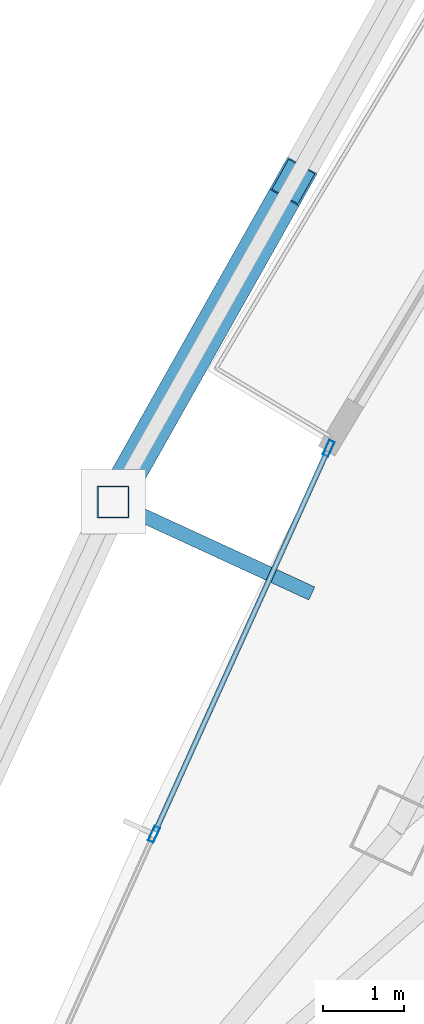
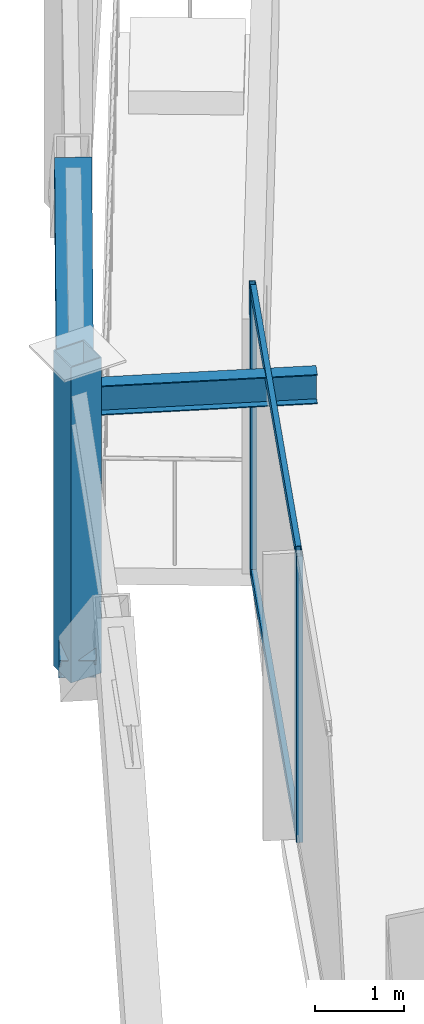
# One storey, part 8 of 27: 6 members, 1 beam, 1 element without a shape of its own.
"""IFC4 building model written with IfcOpenShell, lengths in metres."""

from ifc_helpers import new_model, si_unit, direction, frame, origin, origin_2d, place, context, subcontext, project, spatial, hollow_rectangle, i_section, extrude, material, layer, layer_set, material_profile, profile_set, type_object, element, aggregate, save


model = new_model("IFC4")

# Units and contexts
model_context = context("Model", 3, precision=1e-05, world=origin(), true_north=direction((0.0, 1.0)))
body_context = subcontext(model_context, "Body", "Model", "MODEL_VIEW")
ifc_project = project(units=[si_unit("LENGTHUNIT", "METRE"), si_unit("AREAUNIT", "SQUARE_METRE"), si_unit("VOLUMEUNIT", "CUBIC_METRE"), si_unit("PLANEANGLEUNIT", "RADIAN"), si_unit("MASSUNIT", "GRAM", prefix="KILO")], contexts=[model_context])

# Site, building, storey
site_placement = place(None, origin())
site = spatial("IfcSite", under=ifc_project, at=site_placement, CompositionType="ELEMENT")
building_placement = place(site_placement, origin())
building = spatial("IfcBuilding", under=site, at=building_placement, Name="Orvanel Arch Residences", CompositionType="ELEMENT")
storey_placement = place(building_placement, frame((0.0, 0.0, 186.949951171875)))
storey = spatial("IfcBuildingStorey", under=building, at=storey_placement, Name="L53", CompositionType="ELEMENT", Elevation=186.949951171875)

# Member
ifc_material_1 = material(Name="Structural steel AS/NZS 3678 Grade 350", Category="steel")
ifc_material_profile_1 = material_profile(ifc_material_1, hollow_rectangle(XDim=0.419921875, YDim=0.719970703125, WallThickness=0.02490234375, at=origin_2d()), Name="RHS720x420x25")
ifc_profile_set_1 = profile_set([ifc_material_profile_1], Name="Structural steel AS/NZS 3678 Grade 350")
member_type_1 = type_object("IfcMemberType", Name="BR-720RHS-EXT", PredefinedType="BRACE", material=ifc_profile_set_1)
member_1_placement = place(storey_placement, frame((12.867919921875, 23.716064453125, 0.0), z_axis=(0.378833707397, 0.673413209972, 0.63482255062), x_axis=(-0.871554091731, 0.490299362826, 0.0)))
element("IfcMember", 1, at=member_1_placement, inside=storey, type_object=member_type_1, Name="L53 Exterior Sky-Garden V-Frame Chevron F1B2.2", PredefinedType="BRACE", context=body_context, shape_type="SweptSolid", body=[
    extrude(hollow_rectangle(XDim=0.419921875, YDim=0.719970703125, WallThickness=0.02490234375, at=origin_2d()), origin(), (0.0, 0.0, 1.0), 5.902587890625),
])

# Curtain wall, members
ifc_material_2 = material(Name="Bronze-anodised aluminium AA6063-T6", Category="aluminium")
ifc_layer = layer(ifc_material_2, 0.195068359375)
ifc_layer_set = layer_set([ifc_layer], Name="Bronze-anodised aluminium AA6063-T6")
curtain_wall_type = type_object("IfcCurtainWallType", Name="CW6-COM-SYS", PredefinedType="NOTDEFINED", material=ifc_layer_set)
curtain_wall_placement = place(storey_placement, origin())
curtain_wall = element("IfcCurtainWall", 2, at=curtain_wall_placement, inside=storey, type_object=curtain_wall_type, Name="L53 CW6-COM-SYS Unitised Curtain Wall", PredefinedType="NOTDEFINED")
ifc_material_profile_2 = material_profile(ifc_material_2, hollow_rectangle(XDim=0.074951171875, YDim=0.199951171875, WallThickness=0.0048828125, at=origin_2d()), Name="ALU200x75x5")
ifc_profile_set_2 = profile_set([ifc_material_profile_2], Name="Bronze-anodised aluminium AA6063-T6")
member_type_2 = type_object("IfcMemberType", Name="MUL-200x75", PredefinedType="MULLION", material=ifc_profile_set_2)
member_2_placement = place(storey_placement, frame((15.54150390625, 24.380859375, 0.0), z_axis=(0.0, 0.0, 1.0), x_axis=(0.911055535651, -0.412283653519, 0.0)))
member_2 = element("IfcMember", 3, at=member_2_placement, type_object=member_type_2, Name="CW-S6 mullion 1", PredefinedType="MULLION", context=body_context, shape_type="SweptSolid", body=[
    extrude(hollow_rectangle(XDim=0.074951171875, YDim=0.199951171875, WallThickness=0.0048828125, at=origin_2d()), origin(), (0.0, 0.0, 1.0), 3.949951171875),
])
member_3_placement = place(storey_placement, frame((13.375244140625, 19.593994140625, 0.0), z_axis=(0.0, 0.0, 1.0), x_axis=(0.911055535651, -0.412283653519, 0.0)))
member_3 = element("IfcMember", 4, at=member_3_placement, type_object=member_type_2, Name="CW-S6 mullion 2", PredefinedType="MULLION", context=body_context, shape_type="SweptSolid", body=[
    extrude(hollow_rectangle(XDim=0.074951171875, YDim=0.199951171875, WallThickness=0.0048828125, at=origin_2d()), origin(), (0.0, 0.0, 1.0), 3.949951171875),
])

# Beam
ifc_material_3 = material(Name="Structural steel AS/NZS 3679.1 Grade 300 (300 MPa)", Category="steel")
ifc_material_profile_3 = material_profile(ifc_material_3, i_section(OverallWidth=0.177978515625, OverallDepth=0.406005859375, WebThickness=0.0078125, FlangeThickness=0.0126953125, at=origin_2d()), Name="410UB59.7")
ifc_profile_set_3 = profile_set([ifc_material_profile_3], Name="Structural steel AS/NZS 3679.1 Grade 300 (300 MPa)")
beam_type = type_object("IfcBeamType", Name="OB-410UB-EXT", PredefinedType="SPANDREL", material=ifc_profile_set_3)
beam_placement = place(storey_placement, frame((15.3330078125, 22.5810546875, 3.7470703125), z_axis=(-0.908340795314, 0.418230797011, 0.0), x_axis=(-0.418230797011, -0.908340795314, 0.0)))
element("IfcBeam", 5, at=beam_placement, inside=storey, type_object=beam_type, Name="L53 Outer Frame Radial Tie Beam 03", PredefinedType="SPANDREL", context=body_context, shape_type="SweptSolid", body=[
    extrude(i_section(OverallWidth=0.177978515625, OverallDepth=0.406005859375, WebThickness=0.0078125, FlangeThickness=0.0126953125, at=origin_2d()), origin(), (0.0, 0.0, 1.0), 2.7138671875),
])

# Member
ifc_material_4 = material(Name="Structural steel AS/NZS 1163 C450L0 (Grade 450)", Category="steel")
ifc_material_profile_4 = material_profile(ifc_material_4, hollow_rectangle(XDim=0.39990234375, YDim=0.39990234375, WallThickness=0.01611328125, at=origin_2d()), Name="SHS400x400x16")
ifc_profile_set_4 = profile_set([ifc_material_profile_4], Name="Structural steel AS/NZS 1163 C450L0 (Grade 450)")
member_type_3 = type_object("IfcMemberType", Name="ST-400SHS-EXT", PredefinedType="STRUT", material=ifc_profile_set_4)
member_4_placement = place(storey_placement, frame((12.867919921875, 23.716064453125, 0.0), z_axis=(0.0, 0.0, 1.0), x_axis=(1.0, 0.0, 0.0)))
element("IfcMember", 6, at=member_4_placement, inside=storey, type_object=member_type_3, Name="L53 Outer Perimeter Frame Post 03", PredefinedType="STRUT", context=body_context, shape_type="SweptSolid", body=[
    extrude(hollow_rectangle(XDim=0.39990234375, YDim=0.39990234375, WallThickness=0.01611328125, at=origin_2d()), origin(), (0.0, 0.0, 1.0), 4.35009765625),
])

ifc_material_profile_5 = material_profile(ifc_material_2, hollow_rectangle(XDim=0.06494140625, YDim=0.14990234375, WallThickness=0.00390625, at=origin_2d()), Name="ALU150x65x4")
ifc_profile_set_5 = profile_set([ifc_material_profile_5], Name="Bronze-anodised aluminium AA6063-T6")
member_type_4 = type_object("IfcMemberType", Name="TRN-150x65", PredefinedType="USERDEFINED", material=ifc_profile_set_5)
member_5_placement = place(storey_placement, frame((15.526123046875, 24.3466796875, 0.032470703125), z_axis=(-0.412278738013, -0.911057760069, 0.0), x_axis=(0.911057760069, -0.412278738013, 0.0)))
member_5 = element("IfcMember", 7, at=member_5_placement, type_object=member_type_4, Name="CW-S6 transom 1.1", ObjectType="TRANSOM", PredefinedType="USERDEFINED", context=body_context, shape_type="SweptSolid", body=[
    extrude(hollow_rectangle(XDim=0.06494140625, YDim=0.14990234375, WallThickness=0.00390625, at=origin_2d()), origin(), (0.0, 0.0, 1.0), 5.17919921875),
])

member_6_placement = place(storey_placement, frame((15.526123046875, 24.3466796875, 3.91748046875), z_axis=(-0.412278738013, -0.911057760069, 0.0), x_axis=(0.911057760069, -0.412278738013, 0.0)))
member_6 = element("IfcMember", 8, at=member_6_placement, type_object=member_type_4, Name="CW-S6 transom 1.2", ObjectType="TRANSOM", PredefinedType="USERDEFINED", context=body_context, shape_type="SweptSolid", body=[
    extrude(hollow_rectangle(XDim=0.06494140625, YDim=0.14990234375, WallThickness=0.00390625, at=origin_2d()), origin(), (0.0, 0.0, 1.0), 5.17919921875),
])

aggregate(curtain_wall, [member_2, member_3, member_5, member_6])

save(model, "model.ifc")
